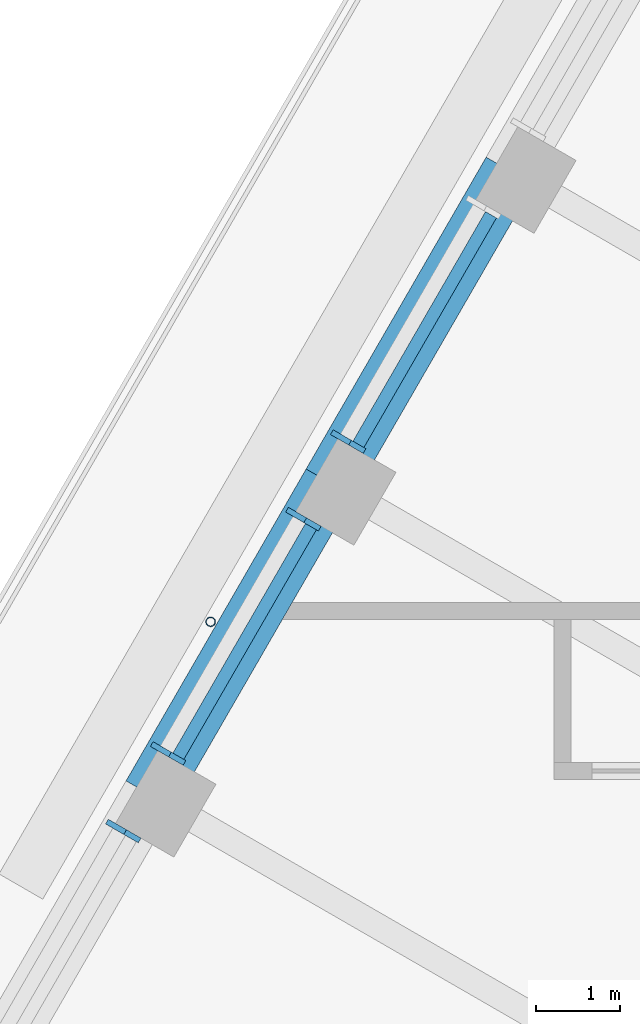
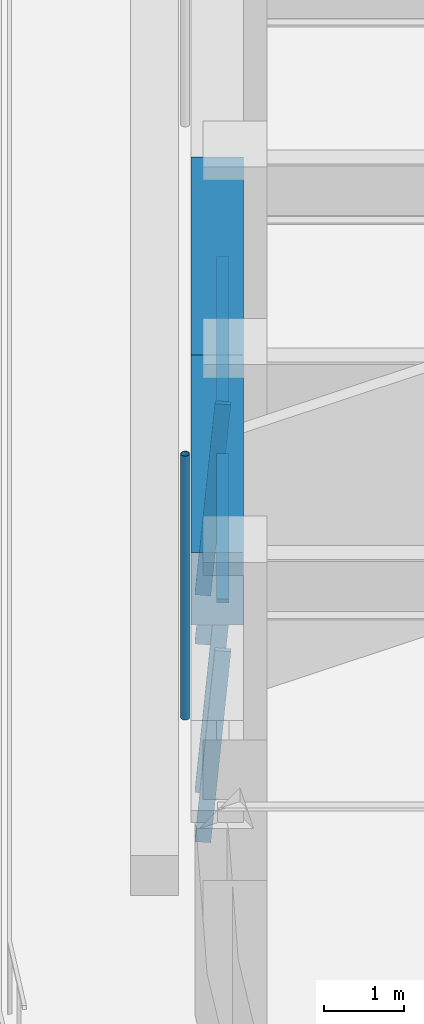
# One storey, part 6 of 19: 7 members, 2 beams, 3 elements without a shape of their own.
"""IFC4 building model written with IfcOpenShell, lengths in metres."""

from ifc_helpers import new_model, si_unit, direction, frame, origin, origin_2d, place, context, subcontext, project, spatial, rectangle, hollow_circle, extrude, material, material_profile, profile_set, type_object, element, aggregate, save


model = new_model("IFC4")

# Units and contexts
model_context = context("Model", 3, precision=1e-05, world=origin(), true_north=direction((0.0, 1.0)))
body_context = subcontext(model_context, "Body", "Model", "MODEL_VIEW")
ifc_project = project(units=[si_unit("LENGTHUNIT", "METRE"), si_unit("AREAUNIT", "SQUARE_METRE"), si_unit("VOLUMEUNIT", "CUBIC_METRE"), si_unit("PLANEANGLEUNIT", "RADIAN"), si_unit("MASSUNIT", "GRAM", prefix="KILO")], contexts=[model_context])

# Site, building, storey
site_placement = place(None, origin())
site = spatial("IfcSite", under=ifc_project, at=site_placement, CompositionType="ELEMENT")
building_placement = place(site_placement, origin())
building = spatial("IfcBuilding", under=site, at=building_placement, Name="Tarfa Lantern Tower", CompositionType="ELEMENT")
storey_placement = place(building_placement, frame((0.0, 0.0, 349.300048828125)))
storey = spatial("IfcBuildingStorey", under=building, at=storey_placement, Name="L79", CompositionType="ELEMENT", Elevation=349.300048828125)

# Curtain wall, member
ifc_material_1 = material(Name="Aluminium framed curtain wall", Category="aluminium")
curtain_wall_type = type_object("IfcCurtainWallType", Name="CW4 CANTED GLAZING EXECUTIVE ZONE 2900", PredefinedType="USERDEFINED", material=ifc_material_1)
curtain_wall_1_placement = place(storey_placement, origin())
curtain_wall_1 = element("IfcCurtainWall", 1, at=curtain_wall_1_placement, inside=storey, type_object=curtain_wall_type, Name="CW4 NW L79", ObjectType="CURTAIN WALL", PredefinedType="USERDEFINED")
ifc_material_2 = material(Name="Aluminium mullion", Category="aluminium")
ifc_material_profile_1 = material_profile(ifc_material_2, rectangle(XDim=0.06494140625, YDim=0.199951171875, at=origin_2d()), Name="AL MULLION 65x200")
ifc_profile_set_1 = profile_set([ifc_material_profile_1], Name="Aluminium mullion")
member_type_1 = type_object("IfcMemberType", Name="CWM1 MULLION 65x200", PredefinedType="MULLION", material=ifc_profile_set_1)
member_1_placement = place(storey_placement, frame((-24.954345703125, 10.077880859375, 0.0), z_axis=(0.074399820079, -0.042945555672, 0.996303340364), x_axis=(0.499919672301, 0.866071776036, 0.0)))
member_1 = element("IfcMember", 2, at=member_1_placement, type_object=member_type_1, Name="CW4 mullion 2", PredefinedType="MULLION", context=body_context, shape_type="SweptSolid", body=[
    extrude(rectangle(XDim=0.06494140625, YDim=0.199951171875, at=origin_2d()), origin(), (0.0, 0.0, 1.0), 2.91064453125),
])

# Curtain wall, members
curtain_wall_2_placement = place(storey_placement, origin())
curtain_wall_2 = element("IfcCurtainWall", 3, at=curtain_wall_2_placement, inside=storey, type_object=curtain_wall_type, Name="CW4 NW L79", ObjectType="CURTAIN WALL", PredefinedType="USERDEFINED")
member_2_placement = place(storey_placement, frame((-25.48681640625, 9.155517578125, 0.0), z_axis=(0.074399820079, -0.042945555672, 0.996303340364), x_axis=(0.499919672301, 0.866071776036, 0.0)))
member_2 = element("IfcMember", 4, at=member_2_placement, type_object=member_type_1, Name="CW4 mullion 1", PredefinedType="MULLION", context=body_context, shape_type="SweptSolid", body=[
    extrude(rectangle(XDim=0.06494140625, YDim=0.199951171875, at=origin_2d()), origin(), (0.0, 0.0, 1.0), 2.91064453125),
])
member_3_placement = place(storey_placement, frame((-27.095458984375, 6.369384765625, 0.0), z_axis=(0.074399820079, -0.042945555672, 0.996303340364), x_axis=(0.499919672301, 0.866071776036, 0.0)))
member_3 = element("IfcMember", 5, at=member_3_placement, type_object=member_type_1, Name="CW4 mullion 2", PredefinedType="MULLION", context=body_context, shape_type="SweptSolid", body=[
    extrude(rectangle(XDim=0.06494140625, YDim=0.199951171875, at=origin_2d()), origin(), (0.0, 0.0, 1.0), 2.91064453125),
])

# Curtain wall, member
curtain_wall_3_placement = place(storey_placement, origin())
curtain_wall_3 = element("IfcCurtainWall", 6, at=curtain_wall_3_placement, inside=storey, type_object=curtain_wall_type, Name="CW4 NW L79", ObjectType="CURTAIN WALL", PredefinedType="USERDEFINED")
member_4_placement = place(storey_placement, frame((-27.6279296875, 5.447265625, 0.0), z_axis=(0.074399820079, -0.042945555672, 0.996303340364), x_axis=(0.499919672301, 0.866071776036, 0.0)))
member_4 = element("IfcMember", 7, at=member_4_placement, type_object=member_type_1, Name="CW4 mullion 1", PredefinedType="MULLION", context=body_context, shape_type="SweptSolid", body=[
    extrude(rectangle(XDim=0.06494140625, YDim=0.199951171875, at=origin_2d()), origin(), (0.0, 0.0, 1.0), 2.91064453125),
])
aggregate(curtain_wall_3, [member_4])

# Member
ifc_material_3 = material(Name="Aluminium transom", Category="aluminium")
ifc_material_profile_2 = material_profile(ifc_material_3, rectangle(XDim=0.14990234375, YDim=0.06494140625, at=origin_2d()), Name="AL TRANSOM 150x65")
ifc_profile_set_2 = profile_set([ifc_material_profile_2], Name="Aluminium transom")
member_type_2 = type_object("IfcMemberType", Name="CWT1 TRANSOM 150x65", PredefinedType="USERDEFINED", material=ifc_profile_set_2)
member_5_placement = place(storey_placement, frame((-23.14794921875, 12.712158203125, 2.867431640625), z_axis=(-0.500037562771, -0.866003715822, 0.0), x_axis=(0.866003715822, -0.500037562771, 0.0)))
member_5 = element("IfcMember", 8, at=member_5_placement, type_object=member_type_2, Name="CW4 transom 1.2", ObjectType="TRANSOM", PredefinedType="USERDEFINED", context=body_context, shape_type="SweptSolid", body=[
    extrude(rectangle(XDim=0.14990234375, YDim=0.06494140625, at=origin_2d()), origin(), (0.0, 0.0, 1.0), 3.152099609375),
])

aggregate(curtain_wall_1, [member_1, member_5])

member_6_placement = place(storey_placement, frame((-25.2890625, 9.003662109375, 2.867431640625), z_axis=(-0.499979472441, -0.866037255052, 0.0), x_axis=(0.866037255052, -0.499979472441, 0.0)))
member_6 = element("IfcMember", 9, at=member_6_placement, type_object=member_type_2, Name="CW4 transom 1.2", ObjectType="TRANSOM", PredefinedType="USERDEFINED", context=body_context, shape_type="SweptSolid", body=[
    extrude(rectangle(XDim=0.14990234375, YDim=0.06494140625, at=origin_2d()), origin(), (0.0, 0.0, 1.0), 3.152099609375),
])

aggregate(curtain_wall_2, [member_2, member_3, member_6])

# Beams
ifc_material_4 = material(Name="Concrete C80/95", Category="concrete")
ifc_material_profile_3 = material_profile(ifc_material_4, rectangle(XDim=0.64990234375, YDim=1.10009765625, at=origin_2d()), Name="RC 650x1100")
ifc_profile_set_3 = profile_set([ifc_material_profile_3], Name="Concrete C80/95")
beam_type = type_object("IfcBeamType", Name="EB4 RC 650x1100", PredefinedType="SPANDREL", material=ifc_profile_set_3)
beam_1_placement = place(storey_placement, frame((-22.923583984375, 13.235107421875, 3.449951171875), z_axis=(-0.500002112793, -0.866024183959, 0.0), x_axis=(0.866024183959, -0.500002112793, 0.0)))
element("IfcBeam", 10, at=beam_1_placement, inside=storey, type_object=beam_type, Name="Edge beam NW3", PredefinedType="SPANDREL", context=body_context, shape_type="SweptSolid", body=[
    extrude(rectangle(XDim=0.64990234375, YDim=1.10009765625, at=origin_2d()), origin(), (0.0, 0.0, 1.0), 4.2822265625),
])
beam_2_placement = place(storey_placement, frame((-25.064697265625, 9.526611328125, 3.449951171875), z_axis=(-0.500026801138, -0.866009929587, 0.0), x_axis=(0.866009929587, -0.500026801138, 0.0)))
element("IfcBeam", 11, at=beam_2_placement, inside=storey, type_object=beam_type, Name="Edge beam NW4", PredefinedType="SPANDREL", context=body_context, shape_type="SweptSolid", body=[
    extrude(rectangle(XDim=0.64990234375, YDim=1.10009765625, at=origin_2d()), origin(), (0.0, 0.0, 1.0), 4.281982421875),
])

# Member
ifc_material_5 = material(Name="Steel S355", Category="steel")
ifc_material_profile_4 = material_profile(ifc_material_5, hollow_circle(Radius=0.05712890625, WallThickness=0.00634765625, at=origin_2d()), Name="CHS114.3x6.3")
ifc_profile_set_4 = profile_set([ifc_material_profile_4], Name="Steel S355")
member_type_3 = type_object("IfcMemberType", Name="TR1 GREEN WALL TRELLIS CHS114.3x6.3", PredefinedType="USERDEFINED", material=ifc_profile_set_4)
member_7_placement = place(storey_placement, frame((-26.481689453125, 7.87255859375, 0.0), z_axis=(0.0, 0.0, 1.0), x_axis=(1.0, 0.0, 0.0)))
element("IfcMember", 12, at=member_7_placement, inside=storey, type_object=member_type_3, Name="Trellis post NW 2", ObjectType="TRELLIS", PredefinedType="USERDEFINED", context=body_context, shape_type="SweptSolid", body=[
    extrude(hollow_circle(Radius=0.05712890625, WallThickness=0.00634765625, at=origin_2d()), origin(), (0.0, 0.0, 1.0), 4.0),
])

save(model, "model.ifc")
